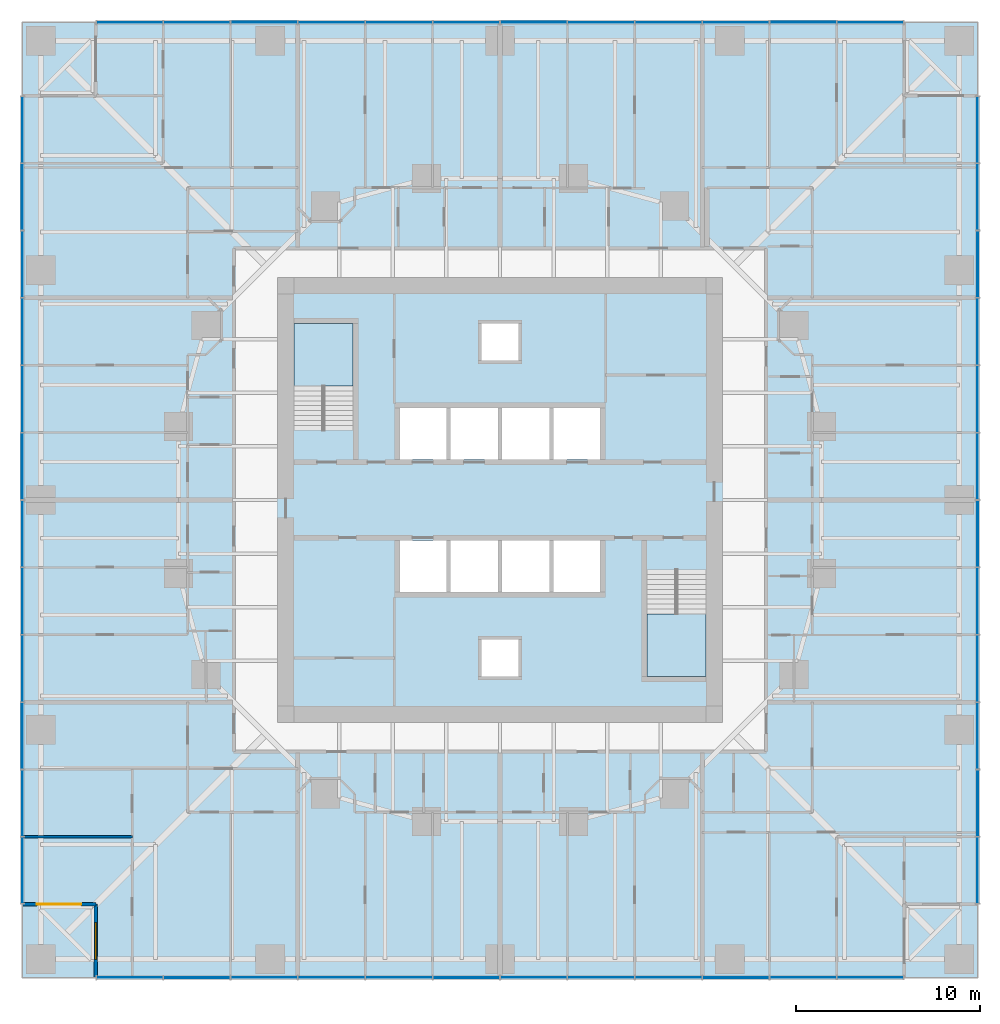
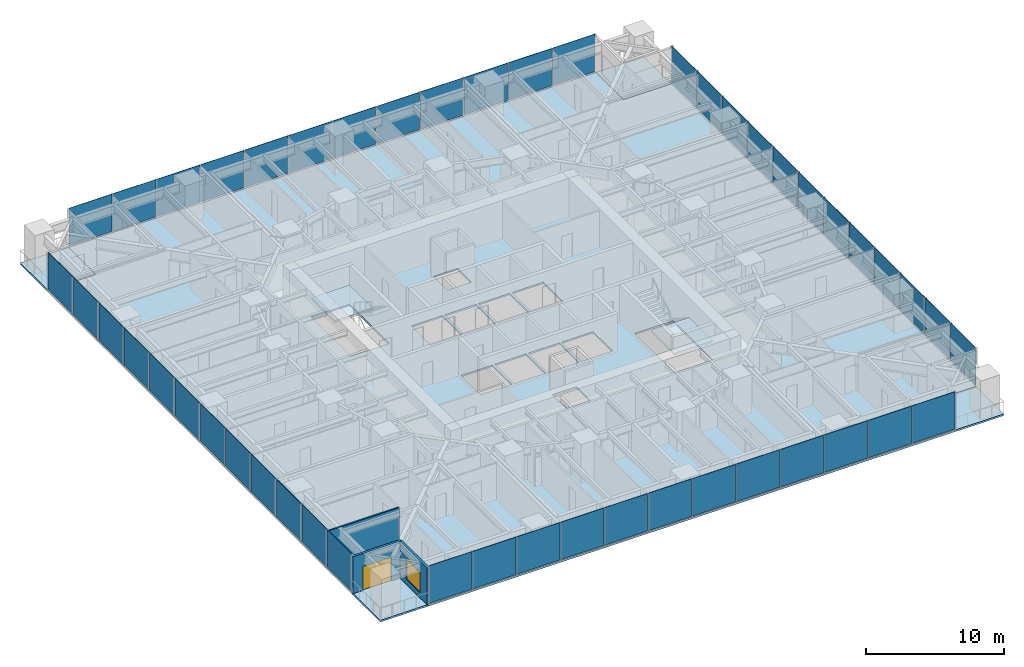
# One storey, part 7 of 17: 48 plates, 7 slabs, 3 walls, 1 door, 1 window, 2 openings, 6 elements without a shape of their own.
"""IFC4 building model written with IfcOpenShell, lengths in metres."""

from ifc_helpers import new_model, si_unit, direction, frame, frame_2d, origin, origin_2d, place, context, subcontext, project, spatial, polyline, rectangle, outline, extrude, material, layer, layer_set, type_object, element, fill, aggregate, save


model = new_model("IFC4")

# Units and contexts
model_context = context("Model", 3, precision=1e-05, world=origin(), true_north=direction((0.0, 1.0)))
body_context = subcontext(model_context, "Body", "Model", "MODEL_VIEW")
ifc_project = project(units=[si_unit("LENGTHUNIT", "METRE"), si_unit("AREAUNIT", "SQUARE_METRE"), si_unit("VOLUMEUNIT", "CUBIC_METRE"), si_unit("PLANEANGLEUNIT", "RADIAN"), si_unit("MASSUNIT", "GRAM", prefix="KILO")], contexts=[model_context])

# Site, building, storey
site_placement = place(None, origin())
site = spatial("IfcSite", under=ifc_project, at=site_placement, CompositionType="ELEMENT")
building_placement = place(site_placement, origin())
building = spatial("IfcBuilding", under=site, at=building_placement, Name="Torsade Residences", CompositionType="ELEMENT")
storey_placement = place(building_placement, frame((0.0, 0.0, 18.39990234375)))
storey = spatial("IfcBuildingStorey", under=building, at=storey_placement, Name="L04", CompositionType="ELEMENT", Elevation=18.39990234375)

# Slab
ifc_material_1 = material(Name="Concrete 40 MPa", Category="concrete")
ifc_layer_1 = layer(ifc_material_1, 0.14990234375)
ifc_layer_set_1 = layer_set([ifc_layer_1], Name="Concrete 40 MPa")
slab_type_1 = type_object("IfcSlabType", Name="COMPOSITE FLOOR SLAB 150", PredefinedType="FLOOR", material=ifc_layer_set_1)
slab_1_placement = place(storey_placement, frame((0.0, 0.0, -0.14990234375)))
element("IfcSlab", 1, at=slab_1_placement, inside=storey, type_object=slab_type_1, Name="Floor slab L04", PredefinedType="FLOOR", context=body_context, shape_type="SweptSolid", body=[
    extrude(outline(polyline([(18.0, 4.0), (62.0, 4.0), (62.0, 8.0), (66.0, 8.0), (66.0, 52.0), (62.0, 52.0), (62.0, 56.0), (18.0, 56.0), (18.0, 52.0), (14.0, 52.0), (14.0, 8.0), (18.0, 8.0), (18.0, 4.0)]), holes=[polyline([(51.199951171875, 20.39990234375), (51.199951171875, 26.1201171875), (48.0, 26.1201171875), (48.0, 20.39990234375), (51.199951171875, 20.39990234375)]), polyline([(45.5, 27.800048828125), (42.89990234375, 27.800048828125), (42.89990234375, 25.0), (45.5, 25.0), (45.5, 27.800048828125)]), polyline([(45.5, 32.199951171875), (45.5, 35.0), (42.89990234375, 35.0), (42.89990234375, 32.199951171875), (45.5, 32.199951171875)]), polyline([(42.699951171875, 25.0), (42.699951171875, 27.800048828125), (40.10009765625, 27.800048828125), (40.10009765625, 25.0), (42.699951171875, 25.0)]), polyline([(42.699951171875, 32.199951171875), (42.699951171875, 35.0), (40.10009765625, 35.0), (40.10009765625, 32.199951171875), (42.699951171875, 32.199951171875)]), polyline([(41.0, 22.39990234375), (39.0, 22.39990234375), (39.0, 20.39990234375), (41.0, 20.39990234375), (41.0, 22.39990234375)]), polyline([(41.0, 37.60009765625), (41.0, 39.60009765625), (39.0, 39.60009765625), (39.0, 37.60009765625), (41.0, 37.60009765625)]), polyline([(39.89990234375, 25.0), (39.89990234375, 27.800048828125), (37.300048828125, 27.800048828125), (37.300048828125, 25.0), (39.89990234375, 25.0)]), polyline([(39.89990234375, 35.0), (37.300048828125, 35.0), (37.300048828125, 32.199951171875), (39.89990234375, 32.199951171875), (39.89990234375, 35.0)]), polyline([(37.10009765625, 27.800048828125), (34.5, 27.800048828125), (34.5, 25.0), (37.10009765625, 25.0), (37.10009765625, 27.800048828125)]), polyline([(37.10009765625, 32.199951171875), (37.10009765625, 35.0), (34.5, 35.0), (34.5, 32.199951171875), (37.10009765625, 32.199951171875)]), polyline([(32.0, 33.8798828125), (32.0, 39.60009765625), (28.800048828125, 39.60009765625), (28.800048828125, 33.8798828125), (32.0, 33.8798828125)])]), origin(), (0.0, 0.0, 1.0), 0.14990234375),
])

# Curtain wall, plates
ifc_material_2 = material(Name="Aluminium and glass", Category="aluminium")
curtain_wall_type = type_object("IfcCurtainWallType", Name="FRITTED GLASS CURTAIN WALL LOW ZONE", PredefinedType="NOTDEFINED", material=ifc_material_2)
curtain_wall_1_placement = place(storey_placement, origin())
curtain_wall_1 = element("IfcCurtainWall", 2, at=curtain_wall_1_placement, inside=storey, type_object=curtain_wall_type, Name="Curtain wall L04 face 1", PredefinedType="NOTDEFINED")
ifc_material_3 = material(Name="Laminated glass", Category="glass")
ifc_layer_2 = layer(ifc_material_3, 0.031982421875)
ifc_layer_set_2 = layer_set([ifc_layer_2], Name="Laminated glass")
plate_type_1 = type_object("IfcPlateType", Name="FRITTED GLASS PANEL", PredefinedType="CURTAIN_PANEL", material=ifc_layer_set_2)
plate_1_placement = place(storey_placement, frame((19.849609375, 4.0, 0.10009765625), z_axis=(0.0, 0.0, 1.0), x_axis=(1.0, 0.0, 0.0)))
plate_1 = element("IfcPlate", 3, at=plate_1_placement, type_object=plate_type_1, Name="Panel 1", PredefinedType="CURTAIN_PANEL", context=body_context, shape_type="SweptSolid", body=[
    extrude(rectangle(XDim=3.569091796875, YDim=0.031982421875, at=origin_2d()), origin(), (0.0, 0.0, 1.0), 3.300048828125),
])
plate_2_placement = place(storey_placement, frame((27.166748046875, 4.0, 0.10009765625), z_axis=(0.0, 0.0, 1.0), x_axis=(1.0, 0.0, 0.0)))
plate_2 = element("IfcPlate", 4, at=plate_2_placement, type_object=plate_type_1, Name="Panel 3", PredefinedType="CURTAIN_PANEL", context=body_context, shape_type="SweptSolid", body=[
    extrude(rectangle(XDim=3.6015625, YDim=0.031982421875, at=origin_2d()), origin(), (0.0, 0.0, 1.0), 3.300048828125),
])
plate_3_placement = place(storey_placement, frame((30.833251953125, 4.0, 0.10009765625), z_axis=(0.0, 0.0, 1.0), x_axis=(1.0, 0.0, 0.0)))
plate_3 = element("IfcPlate", 5, at=plate_3_placement, type_object=plate_type_1, Name="Panel 4", PredefinedType="CURTAIN_PANEL", context=body_context, shape_type="SweptSolid", body=[
    extrude(rectangle(XDim=3.6015625, YDim=0.031982421875, at=origin_2d()), origin(), (0.0, 0.0, 1.0), 3.300048828125),
])
plate_4_placement = place(storey_placement, frame((34.5, 4.0, 0.10009765625), z_axis=(0.0, 0.0, 1.0), x_axis=(1.0, 0.0, 0.0)))
plate_4 = element("IfcPlate", 6, at=plate_4_placement, type_object=plate_type_1, Name="Panel 5", PredefinedType="CURTAIN_PANEL", context=body_context, shape_type="SweptSolid", body=[
    extrude(rectangle(XDim=3.6015625, YDim=0.031982421875, at=origin_2d()), origin(), (0.0, 0.0, 1.0), 3.300048828125),
])
plate_5_placement = place(storey_placement, frame((41.833251953125, 4.0, 0.10009765625), z_axis=(0.0, 0.0, 1.0), x_axis=(1.0, 0.0, 0.0)))
plate_5 = element("IfcPlate", 7, at=plate_5_placement, type_object=plate_type_1, Name="Panel 7", PredefinedType="CURTAIN_PANEL", context=body_context, shape_type="SweptSolid", body=[
    extrude(rectangle(XDim=3.6015625, YDim=0.031982421875, at=origin_2d()), origin(), (0.0, 0.0, 1.0), 3.300048828125),
])
plate_6_placement = place(storey_placement, frame((45.5, 4.0, 0.10009765625), z_axis=(0.0, 0.0, 1.0), x_axis=(1.0, 0.0, 0.0)))
plate_6 = element("IfcPlate", 8, at=plate_6_placement, type_object=plate_type_1, Name="Panel 8", PredefinedType="CURTAIN_PANEL", context=body_context, shape_type="SweptSolid", body=[
    extrude(rectangle(XDim=3.6015625, YDim=0.031982421875, at=origin_2d()), origin(), (0.0, 0.0, 1.0), 3.300048828125),
])
plate_7_placement = place(storey_placement, frame((49.166748046875, 4.0, 0.10009765625), z_axis=(0.0, 0.0, 1.0), x_axis=(1.0, 0.0, 0.0)))
plate_7 = element("IfcPlate", 9, at=plate_7_placement, type_object=plate_type_1, Name="Panel 9", PredefinedType="CURTAIN_PANEL", context=body_context, shape_type="SweptSolid", body=[
    extrude(rectangle(XDim=3.6015625, YDim=0.031982421875, at=origin_2d()), origin(), (0.0, 0.0, 1.0), 3.300048828125),
])
plate_8_placement = place(storey_placement, frame((56.5, 4.0, 0.10009765625), z_axis=(0.0, 0.0, 1.0), x_axis=(1.0, 0.0, 0.0)))
plate_8 = element("IfcPlate", 10, at=plate_8_placement, type_object=plate_type_1, Name="Panel 11", PredefinedType="CURTAIN_PANEL", context=body_context, shape_type="SweptSolid", body=[
    extrude(rectangle(XDim=3.6015625, YDim=0.031982421875, at=origin_2d()), origin(), (0.0, 0.0, 1.0), 3.300048828125),
])
plate_9_placement = place(storey_placement, frame((60.150390625, 4.0, 0.10009765625), z_axis=(0.0, 0.0, 1.0), x_axis=(1.0, 0.0, 0.0)))
plate_9 = element("IfcPlate", 11, at=plate_9_placement, type_object=plate_type_1, Name="Panel 12", PredefinedType="CURTAIN_PANEL", context=body_context, shape_type="SweptSolid", body=[
    extrude(rectangle(XDim=3.569091796875, YDim=0.031982421875, at=origin_2d()), origin(), (0.0, 0.0, 1.0), 3.300048828125),
])

curtain_wall_2_placement = place(storey_placement, origin())
curtain_wall_2 = element("IfcCurtainWall", 12, at=curtain_wall_2_placement, inside=storey, type_object=curtain_wall_type, Name="Curtain wall L04 face 4", PredefinedType="NOTDEFINED")
plate_10_placement = place(storey_placement, frame((66.0, 9.849609375, 0.10009765625), z_axis=(0.0, 0.0, 1.0), x_axis=(0.0, 1.0, 0.0)))
plate_10 = element("IfcPlate", 13, at=plate_10_placement, type_object=plate_type_1, Name="Panel 1", PredefinedType="CURTAIN_PANEL", context=body_context, shape_type="SweptSolid", body=[
    extrude(rectangle(XDim=3.569091796875, YDim=0.031982421875, at=origin_2d()), origin(), (0.0, 0.0, 1.0), 3.300048828125),
])
plate_11_placement = place(storey_placement, frame((66.0, 17.166748046875, 0.10009765625), z_axis=(0.0, 0.0, 1.0), x_axis=(0.0, 1.0, 0.0)))
plate_11 = element("IfcPlate", 14, at=plate_11_placement, type_object=plate_type_1, Name="Panel 3", PredefinedType="CURTAIN_PANEL", context=body_context, shape_type="SweptSolid", body=[
    extrude(rectangle(XDim=3.6015625, YDim=0.031982421875, at=origin_2d()), origin(), (0.0, 0.0, 1.0), 3.300048828125),
])
plate_12_placement = place(storey_placement, frame((66.0, 20.833251953125, 0.10009765625), z_axis=(0.0, 0.0, 1.0), x_axis=(0.0, 1.0, 0.0)))
plate_12 = element("IfcPlate", 15, at=plate_12_placement, type_object=plate_type_1, Name="Panel 4", PredefinedType="CURTAIN_PANEL", context=body_context, shape_type="SweptSolid", body=[
    extrude(rectangle(XDim=3.6015625, YDim=0.031982421875, at=origin_2d()), origin(), (0.0, 0.0, 1.0), 3.300048828125),
])
plate_13_placement = place(storey_placement, frame((66.0, 24.5, 0.10009765625), z_axis=(0.0, 0.0, 1.0), x_axis=(0.0, 1.0, 0.0)))
plate_13 = element("IfcPlate", 16, at=plate_13_placement, type_object=plate_type_1, Name="Panel 5", PredefinedType="CURTAIN_PANEL", context=body_context, shape_type="SweptSolid", body=[
    extrude(rectangle(XDim=3.6015625, YDim=0.031982421875, at=origin_2d()), origin(), (0.0, 0.0, 1.0), 3.300048828125),
])
plate_14_placement = place(storey_placement, frame((66.0, 31.833251953125, 0.10009765625), z_axis=(0.0, 0.0, 1.0), x_axis=(0.0, 1.0, 0.0)))
plate_14 = element("IfcPlate", 17, at=plate_14_placement, type_object=plate_type_1, Name="Panel 7", PredefinedType="CURTAIN_PANEL", context=body_context, shape_type="SweptSolid", body=[
    extrude(rectangle(XDim=3.6015625, YDim=0.031982421875, at=origin_2d()), origin(), (0.0, 0.0, 1.0), 3.300048828125),
])
plate_15_placement = place(storey_placement, frame((66.0, 35.5, 0.10009765625), z_axis=(0.0, 0.0, 1.0), x_axis=(0.0, 1.0, 0.0)))
plate_15 = element("IfcPlate", 18, at=plate_15_placement, type_object=plate_type_1, Name="Panel 8", PredefinedType="CURTAIN_PANEL", context=body_context, shape_type="SweptSolid", body=[
    extrude(rectangle(XDim=3.6015625, YDim=0.031982421875, at=origin_2d()), origin(), (0.0, 0.0, 1.0), 3.300048828125),
])
plate_16_placement = place(storey_placement, frame((66.0, 39.166748046875, 0.10009765625), z_axis=(0.0, 0.0, 1.0), x_axis=(0.0, 1.0, 0.0)))
plate_16 = element("IfcPlate", 19, at=plate_16_placement, type_object=plate_type_1, Name="Panel 9", PredefinedType="CURTAIN_PANEL", context=body_context, shape_type="SweptSolid", body=[
    extrude(rectangle(XDim=3.6015625, YDim=0.031982421875, at=origin_2d()), origin(), (0.0, 0.0, 1.0), 3.300048828125),
])
plate_17_placement = place(storey_placement, frame((66.0, 46.5, 0.10009765625), z_axis=(0.0, 0.0, 1.0), x_axis=(0.0, 1.0, 0.0)))
plate_17 = element("IfcPlate", 20, at=plate_17_placement, type_object=plate_type_1, Name="Panel 11", PredefinedType="CURTAIN_PANEL", context=body_context, shape_type="SweptSolid", body=[
    extrude(rectangle(XDim=3.6015625, YDim=0.031982421875, at=origin_2d()), origin(), (0.0, 0.0, 1.0), 3.300048828125),
])
plate_18_placement = place(storey_placement, frame((66.0, 50.150390625, 0.10009765625), z_axis=(0.0, 0.0, 1.0), x_axis=(0.0, 1.0, 0.0)))
plate_18 = element("IfcPlate", 21, at=plate_18_placement, type_object=plate_type_1, Name="Panel 12", PredefinedType="CURTAIN_PANEL", context=body_context, shape_type="SweptSolid", body=[
    extrude(rectangle(XDim=3.569091796875, YDim=0.031982421875, at=origin_2d()), origin(), (0.0, 0.0, 1.0), 3.300048828125),
])

curtain_wall_3_placement = place(storey_placement, origin())
curtain_wall_3 = element("IfcCurtainWall", 22, at=curtain_wall_3_placement, inside=storey, type_object=curtain_wall_type, Name="Curtain wall L04 face 7", PredefinedType="NOTDEFINED")
plate_19_placement = place(storey_placement, frame((60.150390625, 56.0, 0.10009765625), z_axis=(0.0, 0.0, 1.0), x_axis=(-1.0, 0.0, 0.0)))
plate_19 = element("IfcPlate", 23, at=plate_19_placement, type_object=plate_type_1, Name="Panel 1", PredefinedType="CURTAIN_PANEL", context=body_context, shape_type="SweptSolid", body=[
    extrude(rectangle(XDim=3.569091796875, YDim=0.031982421875, at=origin_2d()), origin(), (0.0, 0.0, 1.0), 3.300048828125),
])
plate_20_placement = place(storey_placement, frame((52.833251953125, 56.0, 0.10009765625), z_axis=(0.0, 0.0, 1.0), x_axis=(-1.0, 0.0, 0.0)))
plate_20 = element("IfcPlate", 24, at=plate_20_placement, type_object=plate_type_1, Name="Panel 3", PredefinedType="CURTAIN_PANEL", context=body_context, shape_type="SweptSolid", body=[
    extrude(rectangle(XDim=3.6015625, YDim=0.031982421875, at=origin_2d()), origin(), (0.0, 0.0, 1.0), 3.300048828125),
])
plate_21_placement = place(storey_placement, frame((49.166748046875, 56.0, 0.10009765625), z_axis=(0.0, 0.0, 1.0), x_axis=(-1.0, 0.0, 0.0)))
plate_21 = element("IfcPlate", 25, at=plate_21_placement, type_object=plate_type_1, Name="Panel 4", PredefinedType="CURTAIN_PANEL", context=body_context, shape_type="SweptSolid", body=[
    extrude(rectangle(XDim=3.6015625, YDim=0.031982421875, at=origin_2d()), origin(), (0.0, 0.0, 1.0), 3.300048828125),
])
plate_22_placement = place(storey_placement, frame((45.5, 56.0, 0.10009765625), z_axis=(0.0, 0.0, 1.0), x_axis=(-1.0, 0.0, 0.0)))
plate_22 = element("IfcPlate", 26, at=plate_22_placement, type_object=plate_type_1, Name="Panel 5", PredefinedType="CURTAIN_PANEL", context=body_context, shape_type="SweptSolid", body=[
    extrude(rectangle(XDim=3.6015625, YDim=0.031982421875, at=origin_2d()), origin(), (0.0, 0.0, 1.0), 3.300048828125),
])
plate_23_placement = place(storey_placement, frame((38.166748046875, 56.0, 0.10009765625), z_axis=(0.0, 0.0, 1.0), x_axis=(-1.0, 0.0, 0.0)))
plate_23 = element("IfcPlate", 27, at=plate_23_placement, type_object=plate_type_1, Name="Panel 7", PredefinedType="CURTAIN_PANEL", context=body_context, shape_type="SweptSolid", body=[
    extrude(rectangle(XDim=3.6015625, YDim=0.031982421875, at=origin_2d()), origin(), (0.0, 0.0, 1.0), 3.300048828125),
])
plate_24_placement = place(storey_placement, frame((34.5, 56.0, 0.10009765625), z_axis=(0.0, 0.0, 1.0), x_axis=(-1.0, 0.0, 0.0)))
plate_24 = element("IfcPlate", 28, at=plate_24_placement, type_object=plate_type_1, Name="Panel 8", PredefinedType="CURTAIN_PANEL", context=body_context, shape_type="SweptSolid", body=[
    extrude(rectangle(XDim=3.6015625, YDim=0.031982421875, at=origin_2d()), origin(), (0.0, 0.0, 1.0), 3.300048828125),
])
plate_25_placement = place(storey_placement, frame((30.833251953125, 56.0, 0.10009765625), z_axis=(0.0, 0.0, 1.0), x_axis=(-1.0, 0.0, 0.0)))
plate_25 = element("IfcPlate", 29, at=plate_25_placement, type_object=plate_type_1, Name="Panel 9", PredefinedType="CURTAIN_PANEL", context=body_context, shape_type="SweptSolid", body=[
    extrude(rectangle(XDim=3.6015625, YDim=0.031982421875, at=origin_2d()), origin(), (0.0, 0.0, 1.0), 3.300048828125),
])
plate_26_placement = place(storey_placement, frame((23.5, 56.0, 0.10009765625), z_axis=(0.0, 0.0, 1.0), x_axis=(-1.0, 0.0, 0.0)))
plate_26 = element("IfcPlate", 30, at=plate_26_placement, type_object=plate_type_1, Name="Panel 11", PredefinedType="CURTAIN_PANEL", context=body_context, shape_type="SweptSolid", body=[
    extrude(rectangle(XDim=3.6015625, YDim=0.031982421875, at=origin_2d()), origin(), (0.0, 0.0, 1.0), 3.300048828125),
])
plate_27_placement = place(storey_placement, frame((19.849609375, 56.0, 0.10009765625), z_axis=(0.0, 0.0, 1.0), x_axis=(-1.0, 0.0, 0.0)))
plate_27 = element("IfcPlate", 31, at=plate_27_placement, type_object=plate_type_1, Name="Panel 12", PredefinedType="CURTAIN_PANEL", context=body_context, shape_type="SweptSolid", body=[
    extrude(rectangle(XDim=3.569091796875, YDim=0.031982421875, at=origin_2d()), origin(), (0.0, 0.0, 1.0), 3.300048828125),
])

curtain_wall_4_placement = place(storey_placement, origin())
curtain_wall_4 = element("IfcCurtainWall", 32, at=curtain_wall_4_placement, inside=storey, type_object=curtain_wall_type, Name="Curtain wall L04 face 10", PredefinedType="NOTDEFINED")
plate_28_placement = place(storey_placement, frame((14.0, 50.150390625, 0.10009765625), z_axis=(0.0, 0.0, 1.0), x_axis=(0.0, -1.0, 0.0)))
plate_28 = element("IfcPlate", 33, at=plate_28_placement, type_object=plate_type_1, Name="Panel 1", PredefinedType="CURTAIN_PANEL", context=body_context, shape_type="SweptSolid", body=[
    extrude(rectangle(XDim=3.569091796875, YDim=0.031982421875, at=origin_2d()), origin(), (0.0, 0.0, 1.0), 3.300048828125),
])
plate_29_placement = place(storey_placement, frame((14.0, 42.833251953125, 0.10009765625), z_axis=(0.0, 0.0, 1.0), x_axis=(0.0, -1.0, 0.0)))
plate_29 = element("IfcPlate", 34, at=plate_29_placement, type_object=plate_type_1, Name="Panel 3", PredefinedType="CURTAIN_PANEL", context=body_context, shape_type="SweptSolid", body=[
    extrude(rectangle(XDim=3.6015625, YDim=0.031982421875, at=origin_2d()), origin(), (0.0, 0.0, 1.0), 3.300048828125),
])
plate_30_placement = place(storey_placement, frame((14.0, 39.166748046875, 0.10009765625), z_axis=(0.0, 0.0, 1.0), x_axis=(0.0, -1.0, 0.0)))
plate_30 = element("IfcPlate", 35, at=plate_30_placement, type_object=plate_type_1, Name="Panel 4", PredefinedType="CURTAIN_PANEL", context=body_context, shape_type="SweptSolid", body=[
    extrude(rectangle(XDim=3.6015625, YDim=0.031982421875, at=origin_2d()), origin(), (0.0, 0.0, 1.0), 3.300048828125),
])
plate_31_placement = place(storey_placement, frame((14.0, 35.5, 0.10009765625), z_axis=(0.0, 0.0, 1.0), x_axis=(0.0, -1.0, 0.0)))
plate_31 = element("IfcPlate", 36, at=plate_31_placement, type_object=plate_type_1, Name="Panel 5", PredefinedType="CURTAIN_PANEL", context=body_context, shape_type="SweptSolid", body=[
    extrude(rectangle(XDim=3.6015625, YDim=0.031982421875, at=origin_2d()), origin(), (0.0, 0.0, 1.0), 3.300048828125),
])
plate_32_placement = place(storey_placement, frame((14.0, 28.166748046875, 0.10009765625), z_axis=(0.0, 0.0, 1.0), x_axis=(0.0, -1.0, 0.0)))
plate_32 = element("IfcPlate", 37, at=plate_32_placement, type_object=plate_type_1, Name="Panel 7", PredefinedType="CURTAIN_PANEL", context=body_context, shape_type="SweptSolid", body=[
    extrude(rectangle(XDim=3.6015625, YDim=0.031982421875, at=origin_2d()), origin(), (0.0, 0.0, 1.0), 3.300048828125),
])
plate_33_placement = place(storey_placement, frame((14.0, 24.5, 0.10009765625), z_axis=(0.0, 0.0, 1.0), x_axis=(0.0, -1.0, 0.0)))
plate_33 = element("IfcPlate", 38, at=plate_33_placement, type_object=plate_type_1, Name="Panel 8", PredefinedType="CURTAIN_PANEL", context=body_context, shape_type="SweptSolid", body=[
    extrude(rectangle(XDim=3.6015625, YDim=0.031982421875, at=origin_2d()), origin(), (0.0, 0.0, 1.0), 3.300048828125),
])
plate_34_placement = place(storey_placement, frame((14.0, 20.833251953125, 0.10009765625), z_axis=(0.0, 0.0, 1.0), x_axis=(0.0, -1.0, 0.0)))
plate_34 = element("IfcPlate", 39, at=plate_34_placement, type_object=plate_type_1, Name="Panel 9", PredefinedType="CURTAIN_PANEL", context=body_context, shape_type="SweptSolid", body=[
    extrude(rectangle(XDim=3.6015625, YDim=0.031982421875, at=origin_2d()), origin(), (0.0, 0.0, 1.0), 3.300048828125),
])
plate_35_placement = place(storey_placement, frame((14.0, 13.5, 0.10009765625), z_axis=(0.0, 0.0, 1.0), x_axis=(0.0, -1.0, 0.0)))
plate_35 = element("IfcPlate", 40, at=plate_35_placement, type_object=plate_type_1, Name="Panel 11", PredefinedType="CURTAIN_PANEL", context=body_context, shape_type="SweptSolid", body=[
    extrude(rectangle(XDim=3.6015625, YDim=0.031982421875, at=origin_2d()), origin(), (0.0, 0.0, 1.0), 3.300048828125),
])
plate_36_placement = place(storey_placement, frame((14.0, 9.849609375, 0.10009765625), z_axis=(0.0, 0.0, 1.0), x_axis=(0.0, -1.0, 0.0)))
plate_36 = element("IfcPlate", 41, at=plate_36_placement, type_object=plate_type_1, Name="Panel 12", PredefinedType="CURTAIN_PANEL", context=body_context, shape_type="SweptSolid", body=[
    extrude(rectangle(XDim=3.569091796875, YDim=0.031982421875, at=origin_2d()), origin(), (0.0, 0.0, 1.0), 3.300048828125),
])

# Plate
ifc_material_4 = material(Name="Laminated glass", Category="glass")
ifc_layer_3 = layer(ifc_material_4, 0.0400390625)
ifc_layer_set_3 = layer_set([ifc_layer_3], Name="Laminated glass")
plate_type_2 = type_object("IfcPlateType", Name="OPERABLE VENT PANEL", PredefinedType="CURTAIN_PANEL", material=ifc_layer_set_3)
plate_37_placement = place(storey_placement, frame((23.5, 4.0, 0.10009765625), z_axis=(0.0, 0.0, 1.0), x_axis=(1.0, 0.0, 0.0)))
plate_37 = element("IfcPlate", 42, at=plate_37_placement, type_object=plate_type_2, Name="Panel 2", PredefinedType="CURTAIN_PANEL", context=body_context, shape_type="SweptSolid", body=[
    extrude(rectangle(XDim=3.6015625, YDim=0.0400390625, at=origin_2d()), origin(), (0.0, 0.0, 1.0), 3.300048828125),
])

plate_38_placement = place(storey_placement, frame((38.166748046875, 4.0, 0.10009765625), z_axis=(0.0, 0.0, 1.0), x_axis=(1.0, 0.0, 0.0)))
plate_38 = element("IfcPlate", 43, at=plate_38_placement, type_object=plate_type_2, Name="Panel 6", PredefinedType="CURTAIN_PANEL", context=body_context, shape_type="SweptSolid", body=[
    extrude(rectangle(XDim=3.6015625, YDim=0.0400390625, at=origin_2d()), origin(), (0.0, 0.0, 1.0), 3.300048828125),
])

plate_39_placement = place(storey_placement, frame((52.833251953125, 4.0, 0.10009765625), z_axis=(0.0, 0.0, 1.0), x_axis=(1.0, 0.0, 0.0)))
plate_39 = element("IfcPlate", 44, at=plate_39_placement, type_object=plate_type_2, Name="Panel 10", PredefinedType="CURTAIN_PANEL", context=body_context, shape_type="SweptSolid", body=[
    extrude(rectangle(XDim=3.6015625, YDim=0.0400390625, at=origin_2d()), origin(), (0.0, 0.0, 1.0), 3.300048828125),
])

aggregate(curtain_wall_1, [plate_1, plate_37, plate_2, plate_3, plate_4, plate_38, plate_5, plate_6, plate_7, plate_39, plate_8, plate_9])

plate_40_placement = place(storey_placement, frame((66.0, 13.5, 0.10009765625), z_axis=(0.0, 0.0, 1.0), x_axis=(0.0, 1.0, 0.0)))
plate_40 = element("IfcPlate", 45, at=plate_40_placement, type_object=plate_type_2, Name="Panel 2", PredefinedType="CURTAIN_PANEL", context=body_context, shape_type="SweptSolid", body=[
    extrude(rectangle(XDim=3.6015625, YDim=0.0400390625, at=origin_2d()), origin(), (0.0, 0.0, 1.0), 3.300048828125),
])

plate_41_placement = place(storey_placement, frame((66.0, 28.166748046875, 0.10009765625), z_axis=(0.0, 0.0, 1.0), x_axis=(0.0, 1.0, 0.0)))
plate_41 = element("IfcPlate", 46, at=plate_41_placement, type_object=plate_type_2, Name="Panel 6", PredefinedType="CURTAIN_PANEL", context=body_context, shape_type="SweptSolid", body=[
    extrude(rectangle(XDim=3.6015625, YDim=0.0400390625, at=origin_2d()), origin(), (0.0, 0.0, 1.0), 3.300048828125),
])

plate_42_placement = place(storey_placement, frame((66.0, 42.833251953125, 0.10009765625), z_axis=(0.0, 0.0, 1.0), x_axis=(0.0, 1.0, 0.0)))
plate_42 = element("IfcPlate", 47, at=plate_42_placement, type_object=plate_type_2, Name="Panel 10", PredefinedType="CURTAIN_PANEL", context=body_context, shape_type="SweptSolid", body=[
    extrude(rectangle(XDim=3.6015625, YDim=0.0400390625, at=origin_2d()), origin(), (0.0, 0.0, 1.0), 3.300048828125),
])

aggregate(curtain_wall_2, [plate_10, plate_40, plate_11, plate_12, plate_13, plate_41, plate_14, plate_15, plate_16, plate_42, plate_17, plate_18])

plate_43_placement = place(storey_placement, frame((56.5, 56.0, 0.10009765625), z_axis=(0.0, 0.0, 1.0), x_axis=(-1.0, 0.0, 0.0)))
plate_43 = element("IfcPlate", 48, at=plate_43_placement, type_object=plate_type_2, Name="Panel 2", PredefinedType="CURTAIN_PANEL", context=body_context, shape_type="SweptSolid", body=[
    extrude(rectangle(XDim=3.6015625, YDim=0.0400390625, at=origin_2d()), origin(), (0.0, 0.0, 1.0), 3.300048828125),
])

plate_44_placement = place(storey_placement, frame((41.833251953125, 56.0, 0.10009765625), z_axis=(0.0, 0.0, 1.0), x_axis=(-1.0, 0.0, 0.0)))
plate_44 = element("IfcPlate", 49, at=plate_44_placement, type_object=plate_type_2, Name="Panel 6", PredefinedType="CURTAIN_PANEL", context=body_context, shape_type="SweptSolid", body=[
    extrude(rectangle(XDim=3.6015625, YDim=0.0400390625, at=origin_2d()), origin(), (0.0, 0.0, 1.0), 3.300048828125),
])

plate_45_placement = place(storey_placement, frame((27.166748046875, 56.0, 0.10009765625), z_axis=(0.0, 0.0, 1.0), x_axis=(-1.0, 0.0, 0.0)))
plate_45 = element("IfcPlate", 50, at=plate_45_placement, type_object=plate_type_2, Name="Panel 10", PredefinedType="CURTAIN_PANEL", context=body_context, shape_type="SweptSolid", body=[
    extrude(rectangle(XDim=3.6015625, YDim=0.0400390625, at=origin_2d()), origin(), (0.0, 0.0, 1.0), 3.300048828125),
])

aggregate(curtain_wall_3, [plate_19, plate_43, plate_20, plate_21, plate_22, plate_44, plate_23, plate_24, plate_25, plate_45, plate_26, plate_27])

plate_46_placement = place(storey_placement, frame((14.0, 46.5, 0.10009765625), z_axis=(0.0, 0.0, 1.0), x_axis=(0.0, -1.0, 0.0)))
plate_46 = element("IfcPlate", 51, at=plate_46_placement, type_object=plate_type_2, Name="Panel 2", PredefinedType="CURTAIN_PANEL", context=body_context, shape_type="SweptSolid", body=[
    extrude(rectangle(XDim=3.6015625, YDim=0.0400390625, at=origin_2d()), origin(), (0.0, 0.0, 1.0), 3.300048828125),
])

plate_47_placement = place(storey_placement, frame((14.0, 31.833251953125, 0.10009765625), z_axis=(0.0, 0.0, 1.0), x_axis=(0.0, -1.0, 0.0)))
plate_47 = element("IfcPlate", 52, at=plate_47_placement, type_object=plate_type_2, Name="Panel 6", PredefinedType="CURTAIN_PANEL", context=body_context, shape_type="SweptSolid", body=[
    extrude(rectangle(XDim=3.6015625, YDim=0.0400390625, at=origin_2d()), origin(), (0.0, 0.0, 1.0), 3.300048828125),
])

plate_48_placement = place(storey_placement, frame((14.0, 17.166748046875, 0.10009765625), z_axis=(0.0, 0.0, 1.0), x_axis=(0.0, -1.0, 0.0)))
plate_48 = element("IfcPlate", 53, at=plate_48_placement, type_object=plate_type_2, Name="Panel 10", PredefinedType="CURTAIN_PANEL", context=body_context, shape_type="SweptSolid", body=[
    extrude(rectangle(XDim=3.6015625, YDim=0.0400390625, at=origin_2d()), origin(), (0.0, 0.0, 1.0), 3.300048828125),
])

aggregate(curtain_wall_4, [plate_28, plate_46, plate_29, plate_30, plate_31, plate_47, plate_32, plate_33, plate_34, plate_48, plate_35, plate_36])

# Stair, slab
ifc_material_5 = material(Name="Precast concrete 40 MPa", Category="concrete")
stair_type = type_object("IfcStairType", Name="HALF-TURN FIRE STAIR 1500x3400", PredefinedType="HALF_TURN_STAIR", material=ifc_material_5)
stair_1_placement = place(storey_placement, origin())
stair_1 = element("IfcStair", 54, at=stair_1_placement, inside=storey, type_object=stair_type, Name="Stair ST1 L04", PredefinedType="HALF_TURN_STAIR")
ifc_material_6 = material(Name="Precast concrete 40 MPa", Category="concrete")
ifc_layer_4 = layer(ifc_material_6, 0.179931640625)
ifc_layer_set_4 = layer_set([ifc_layer_4], Name="Precast concrete 40 MPa")
slab_type_2 = type_object("IfcSlabType", Name="PRECAST STAIR LANDING 180", PredefinedType="LANDING", material=ifc_layer_set_4)
slab_2_placement = place(storey_placement, frame((0.0, 0.0, 1.52001953125)))
slab_2 = element("IfcSlab", 55, at=slab_2_placement, type_object=slab_type_2, Name="ST1 landing 1", PredefinedType="LANDING", context=body_context, shape_type="SweptSolid", body=[
    extrude(outline(polyline([(28.800048828125, 36.2099609375), (32.0, 36.2099609375), (32.0, 39.60009765625), (28.800048828125, 39.60009765625), (28.800048828125, 36.2099609375)])), origin(), (0.0, 0.0, 1.0), 0.18017578125),
])
aggregate(stair_1, [slab_2])

stair_2_placement = place(storey_placement, origin())
stair_2 = element("IfcStair", 56, at=stair_2_placement, inside=storey, type_object=stair_type, Name="Stair ST2 L04", PredefinedType="HALF_TURN_STAIR")
slab_3_placement = place(storey_placement, frame((0.0, 0.0, 1.52001953125)))
slab_3 = element("IfcSlab", 57, at=slab_3_placement, type_object=slab_type_2, Name="ST2 landing 1", PredefinedType="LANDING", context=body_context, shape_type="SweptSolid", body=[
    extrude(outline(polyline([(48.0, 20.39990234375), (51.199951171875, 20.39990234375), (51.199951171875, 23.7900390625), (48.0, 23.7900390625), (48.0, 20.39990234375)])), origin(), (0.0, 0.0, 1.0), 0.18017578125),
])
aggregate(stair_2, [slab_3])

# Slabs
ifc_material_7 = material(Name="Concrete 40 MPa", Category="concrete")
ifc_layer_5 = layer(ifc_material_7, 0.14990234375)
ifc_layer_set_5 = layer_set([ifc_layer_5], Name="Concrete 40 MPa")
slab_type_3 = type_object("IfcSlabType", Name="TERRACE SLAB 150", PredefinedType="FLOOR", material=ifc_layer_set_5)
slab_4_placement = place(storey_placement, frame((0.0, 0.0, -0.14990234375)))
element("IfcSlab", 58, at=slab_4_placement, inside=storey, type_object=slab_type_3, Name="Corner terrace slab SE L04", PredefinedType="FLOOR", context=body_context, shape_type="SweptSolid", body=[
    extrude(outline(polyline([(62.0, 4.0), (66.0, 4.0), (66.0, 8.0), (62.0, 8.0), (62.0, 4.0)])), origin(), (0.0, 0.0, 1.0), 0.14990234375),
])
slab_5_placement = place(storey_placement, frame((0.0, 0.0, -0.14990234375)))
element("IfcSlab", 59, at=slab_5_placement, inside=storey, type_object=slab_type_3, Name="Corner terrace slab NE L04", PredefinedType="FLOOR", context=body_context, shape_type="SweptSolid", body=[
    extrude(outline(polyline([(62.0, 52.0), (66.0, 52.0), (66.0, 56.0), (62.0, 56.0), (62.0, 52.0)])), origin(), (0.0, 0.0, 1.0), 0.14990234375),
])
slab_6_placement = place(storey_placement, frame((0.0, 0.0, -0.14990234375)))
element("IfcSlab", 60, at=slab_6_placement, inside=storey, type_object=slab_type_3, Name="Corner terrace slab NW L04", PredefinedType="FLOOR", context=body_context, shape_type="SweptSolid", body=[
    extrude(outline(polyline([(14.0, 52.0), (18.0, 52.0), (18.0, 56.0), (14.0, 56.0), (14.0, 52.0)])), origin(), (0.0, 0.0, 1.0), 0.14990234375),
])
slab_7_placement = place(storey_placement, frame((0.0, 0.0, -0.14990234375)))
element("IfcSlab", 61, at=slab_7_placement, inside=storey, type_object=slab_type_3, Name="Corner terrace slab SW L04", PredefinedType="FLOOR", context=body_context, shape_type="SweptSolid", body=[
    extrude(outline(polyline([(14.0, 4.0), (18.0, 4.0), (18.0, 8.0), (14.0, 8.0), (14.0, 4.0)])), origin(), (0.0, 0.0, 1.0), 0.14990234375),
])

# Wall
ifc_material_8 = material(Name="Plasterboard on steel stud", Category="steel")
ifc_layer_6 = layer(ifc_material_8, 0.1201171875)
ifc_layer_set_6 = layer_set([ifc_layer_6], Name="Plasterboard on steel stud")
wall_type_1 = type_object("IfcWallType", Name="PARTITION 120", PredefinedType="PARTITIONING", material=ifc_layer_set_6)
wall_1_placement = place(storey_placement, frame((14.0400390625, 11.666748046875, 0.0), z_axis=(0.0, 0.0, 1.0), x_axis=(1.0, 0.0, 0.0)))
element("IfcWall", 62, at=wall_1_placement, inside=storey, type_object=wall_type_1, Name="Partition L04", PredefinedType="PARTITIONING", context=body_context, shape_type="SweptSolid", body=[
    extrude(rectangle(XDim=5.946044921875, YDim=0.1201171875, at=frame_2d((2.97314453125, 0.0))), origin(), (0.0, 0.0, 1.0), 3.25),
])

# Wall, opening, door
ifc_material_9 = material(Name="Stone-faced precast concrete 40 MPa panel", Category="masonry")
ifc_layer_7 = layer(ifc_material_9, 0.199951171875)
ifc_layer_set_7 = layer_set([ifc_layer_7], Name="Stone-faced precast concrete 40 MPa panel")
wall_type_2 = type_object("IfcWallType", Name="TERRACE WALL 200", PredefinedType="SOLIDWALL", material=ifc_layer_set_7)
wall_2_placement = place(storey_placement, frame((14.0, 8.0, 0.0), z_axis=(0.0, 0.0, 1.0), x_axis=(1.0, 0.0, 0.0)))
wall_2 = element("IfcWall", 63, at=wall_2_placement, inside=storey, type_object=wall_type_2, Name="Terrace wall L04 11", PredefinedType="SOLIDWALL", context=body_context, shape_type="SweptSolid", body=[
    extrude(rectangle(XDim=4.0, YDim=0.199951171875, at=frame_2d((2.0, 0.0))), origin(), (0.0, 0.0, 1.0), 3.25),
])
opening_1_placement = place(wall_2_placement, frame((0.800048828125, 0.0, 0.0)))
opening_1 = element("IfcOpeningElement", 64, at=opening_1_placement, cuts=wall_2, Name="Opening D10A", PredefinedType="OPENING", context=body_context, shape_type="SweptSolid", body=[
    extrude(rectangle(XDim=2.39990234375, YDim=2.10009765625, at=frame_2d((1.199951171875, 1.050048828125))), frame((0.0, 0.10986328125, 0.0), z_axis=(0.0, -1.0, 0.0), x_axis=(1.0, 0.0, 0.0)), (0.0, 0.0, 1.0), 0.219970703125),
])
ifc_material_10 = material(Name="Aluminium-framed glass door", Category="aluminium")
door_type = type_object("IfcDoorType", Name="TERRACE SLIDING DOOR 2400x2100", OperationType="SLIDING_TO_LEFT", PredefinedType="DOOR", material=ifc_material_10)
door_placement = place(opening_1_placement, origin())
door = element("IfcDoor", 65, at=door_placement, inside=storey, type_object=door_type, Name="Terrace door L04 11", OperationType="SLIDING_TO_LEFT", OverallHeight=2.10009765625, OverallWidth=2.39990234375, PredefinedType="DOOR", context=body_context, shape_type="SweptSolid", body=[
    extrude(rectangle(XDim=2.39990234375, YDim=2.10009765625, at=frame_2d((1.199951171875, 1.050048828125))), frame((0.0, 0.02490234375, 0.0), z_axis=(0.0, -1.0, 0.0), x_axis=(1.0, 0.0, 0.0)), (0.0, 0.0, 1.0), 0.050048828125),
])
fill(opening_1, door)

# Wall, opening, window
wall_3_placement = place(storey_placement, frame((18.0, 8.0, 0.0), z_axis=(0.0, 0.0, 1.0), x_axis=(0.0, -1.0, 0.0)))
wall_3 = element("IfcWall", 66, at=wall_3_placement, inside=storey, type_object=wall_type_2, Name="Terrace wall L04 12", PredefinedType="SOLIDWALL", context=body_context, shape_type="SweptSolid", body=[
    extrude(rectangle(XDim=4.0, YDim=0.199951171875, at=frame_2d((2.0, 0.0))), origin(), (0.0, 0.0, 1.0), 3.25),
])
opening_2_placement = place(wall_3_placement, frame((1.0, 0.0, 0.449951171875)))
opening_2 = element("IfcOpeningElement", 67, at=opening_2_placement, cuts=wall_3, Name="Opening W1B", PredefinedType="OPENING", context=body_context, shape_type="SweptSolid", body=[
    extrude(rectangle(XDim=2.0, YDim=1.800048828125, at=frame_2d((1.0, 0.89990234375))), frame((0.0, 0.10986328125, 0.0), z_axis=(0.0, -1.0, 0.0), x_axis=(1.0, 0.0, 0.0)), (0.0, 0.0, 1.0), 0.219970703125),
])
ifc_material_11 = material(Name="Aluminium-framed glass window", Category="aluminium")
window_type = type_object("IfcWindowType", Name="TERRACE WINDOW 2000x1800", PartitioningType="SINGLE_PANEL", PredefinedType="WINDOW", material=ifc_material_11)
window_placement = place(opening_2_placement, origin())
window = element("IfcWindow", 68, at=window_placement, inside=storey, type_object=window_type, Name="Terrace window L04 12", OverallHeight=1.800048828125, OverallWidth=2.0, PartitioningType="SINGLE_PANEL", PredefinedType="WINDOW", context=body_context, shape_type="SweptSolid", body=[
    extrude(rectangle(XDim=2.0, YDim=1.800048828125, at=frame_2d((1.0, 0.89990234375))), frame((0.0, 0.030029296875, 0.0), z_axis=(0.0, -1.0, 0.0), x_axis=(1.0, 0.0, 0.0)), (0.0, 0.0, 1.0), 0.06005859375),
])
fill(opening_2, window)

save(model, "model.ifc")
